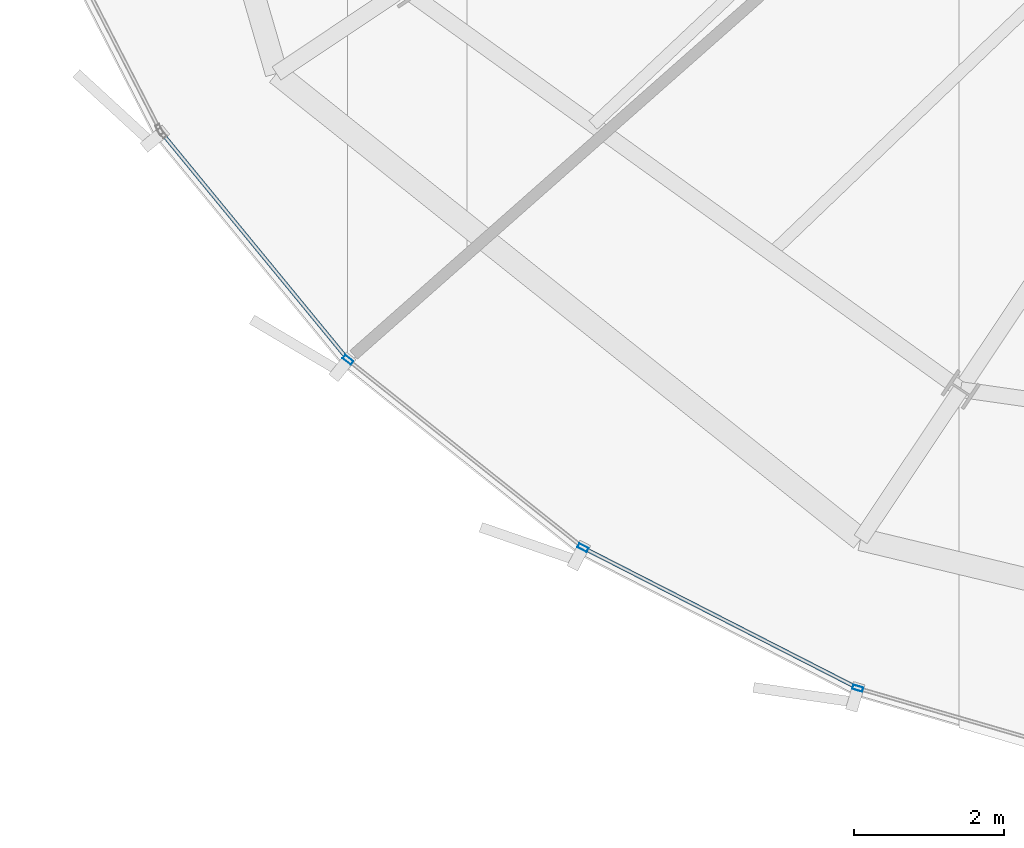
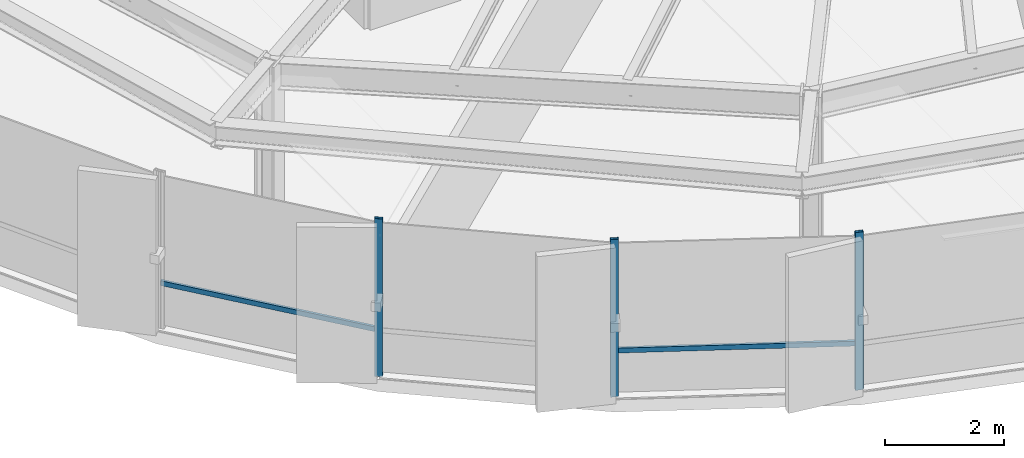
# One storey, part 2 of 35: 5 members, 1 element without a shape of its own.
"""IFC4 building model written with IfcOpenShell, lengths in metres."""

from ifc_helpers import new_model, si_unit, direction, frame, origin, origin_2d, place, context, subcontext, project, spatial, hollow_rectangle, extrude, source, transform, mapped, material, layer, layer_set, material_profile, profile_set, type_object, element, aggregate, save


model = new_model("IFC4")

# Units and contexts
model_context = context("Model", 3, precision=1e-05, world=origin(), true_north=direction((0.0, 1.0)))
body_context = subcontext(model_context, "Body", "Model", "MODEL_VIEW")
ifc_project = project(units=[si_unit("LENGTHUNIT", "METRE"), si_unit("AREAUNIT", "SQUARE_METRE"), si_unit("VOLUMEUNIT", "CUBIC_METRE"), si_unit("PLANEANGLEUNIT", "RADIAN"), si_unit("MASSUNIT", "GRAM", prefix="KILO"), si_unit("THERMODYNAMICTEMPERATUREUNIT", "KELVIN")], contexts=[model_context])

# Site, building, storey
site_placement = place(None, origin())
site = spatial("IfcSite", under=ifc_project, at=site_placement, CompositionType="ELEMENT")
building_placement = place(site_placement, origin())
building = spatial("IfcBuilding", under=site, at=building_placement, Name="Kethvar Cultural Tower", CompositionType="ELEMENT")
storey_placement = place(building_placement, frame((0.0, 0.0, 167.85009765625)))
storey = spatial("IfcBuildingStorey", under=building, at=storey_placement, Name="L43", CompositionType="ELEMENT", Elevation=167.85009765625)

# Curtain wall, members
ifc_material = material(Name="Aluminium 6063-T6", Category="aluminium")
ifc_layer = layer(ifc_material, 0.179931640625, Name="Aluminium 6063-T6", Category="aluminium")
ifc_layer_set = layer_set([ifc_layer], Name="Aluminium 6063-T6 (180 mm)")
curtain_wall_type = type_object("IfcCurtainWallType", Name="CW-SYS-04-Z34", PredefinedType="NOTDEFINED", material=ifc_layer_set)
curtain_wall_placement = place(storey_placement, origin())
curtain_wall = element("IfcCurtainWall", 1, at=curtain_wall_placement, inside=storey, type_object=curtain_wall_type, Name="L43 Curtain Wall Run 04", PredefinedType="NOTDEFINED")
ifc_material_profile_1 = material_profile(ifc_material, hollow_rectangle(XDim=0.06005859375, YDim=0.139892578125, WallThickness=0.0048828125, at=origin_2d()), Name="Aluminium 6063-T6 — RHS140x60x5")
ifc_profile_set_1 = profile_set([ifc_material_profile_1], Name="Aluminium 6063-T6 — RHS140x60x5")
member_type_1 = type_object("IfcMemberType", Name="CW-SYS-04-Z34-MUL", PredefinedType="MULLION", material=ifc_profile_set_1)
shared_shape_1 = source(origin(), body_context, "Body", "SweptSolid", [
    extrude(hollow_rectangle(XDim=0.06005859375, YDim=0.139892578125, WallThickness=0.0048828125, at=origin_2d()), origin(), (0.0, 0.0, 1.0), 3.239990234375),
])
member_1_placement = place(storey_placement, frame((26.1787109375, 9.565185546875, 0.0), z_axis=(0.0, 0.0, 1.0), x_axis=(0.623879596709, 0.781520472419, 0.0)))
member_1 = element("IfcMember", 2, at=member_1_placement, type_object=member_type_1, Name="CW-L43-R04 Mullion 2", PredefinedType="MULLION", context=body_context, shape_type="MappedRepresentation", body=[
    mapped(shared_shape_1, transform((0.0, 0.0, 0.0), scale=1.0)),
])
member_2_placement = place(storey_placement, frame((29.312255859375, 7.06103515625, 0.0), z_axis=(0.0, 0.0, 1.0), x_axis=(0.455047647587, 0.890467090029, 0.0)))
member_2 = element("IfcMember", 3, at=member_2_placement, type_object=member_type_1, Name="CW-L43-R04 Mullion 3", PredefinedType="MULLION", context=body_context, shape_type="MappedRepresentation", body=[
    mapped(shared_shape_1, transform((0.0, 0.0, 0.0), scale=1.0)),
])
member_3_placement = place(storey_placement, frame((32.9775390625, 5.185546875, 0.0), z_axis=(0.0, 0.0, 1.0), x_axis=(0.27897434571, 0.960298554844, 0.0)))
member_3 = element("IfcMember", 4, at=member_3_placement, type_object=member_type_1, Name="CW-L43-R04 Mullion 4", PredefinedType="MULLION", context=body_context, shape_type="MappedRepresentation", body=[
    mapped(shared_shape_1, transform((0.0, 0.0, 0.0), scale=1.0)),
])
ifc_material_profile_2 = material_profile(ifc_material, hollow_rectangle(XDim=0.050048828125, YDim=0.10009765625, WallThickness=0.00390625, at=origin_2d()), Name="Aluminium 6063-T6 — RHS100x50x4")
ifc_profile_set_2 = profile_set([ifc_material_profile_2], Name="Aluminium 6063-T6 — RHS100x50x4")
member_type_2 = type_object("IfcMemberType", Name="CW-SYS-04-Z34-TRN", PredefinedType="USERDEFINED", material=ifc_profile_set_2)
shared_shape_2 = source(origin(), body_context, "Body", "SweptSolid", [
    extrude(hollow_rectangle(XDim=0.050048828125, YDim=0.10009765625, WallThickness=0.00390625, at=origin_2d()), origin(), (0.0, 0.0, 1.0), 4.0517578125),
])
member_4_placement = place(storey_placement, frame((29.3505859375, 7.041259765625, 0.949951171875), z_axis=(0.890463982629, -0.4550537283, 0.0), x_axis=(0.4550537283, 0.890463982629, 0.0)))
member_4 = element("IfcMember", 5, at=member_4_placement, type_object=member_type_2, Name="CW-L43-R04 Transom 3", ObjectType="TRANSOM", PredefinedType="USERDEFINED", context=body_context, shape_type="MappedRepresentation", body=[
    mapped(shared_shape_2, transform((0.0, 0.0, 0.0), scale=1.0)),
])
shared_shape_3 = source(origin(), body_context, "Body", "SweptSolid", [
    extrude(hollow_rectangle(XDim=0.050048828125, YDim=0.10009765625, WallThickness=0.00390625, at=origin_2d()), origin(), (0.0, 0.0, 1.0), 3.8896484375),
])
member_5_placement = place(storey_placement, frame((23.69921875, 12.58837890625, 0.949951171875), z_axis=(0.634617613954, -0.772826296175, 0.0), x_axis=(0.772826296175, 0.634617613954, 0.0)))
member_5 = element("IfcMember", 6, at=member_5_placement, type_object=member_type_2, Name="CW-L43-R04 Transom 1", ObjectType="TRANSOM", PredefinedType="USERDEFINED", context=body_context, shape_type="MappedRepresentation", body=[
    mapped(shared_shape_3, transform((0.0, 0.0, 0.0), scale=1.0)),
])
aggregate(curtain_wall, [member_1, member_2, member_3, member_5, member_4])

save(model, "model.ifc")
